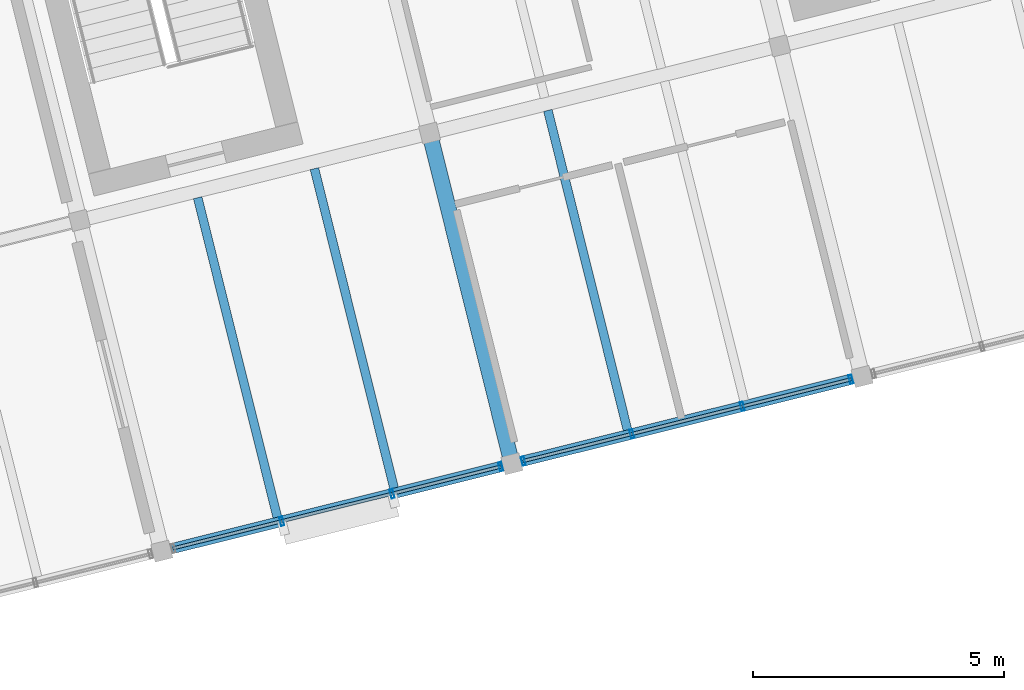
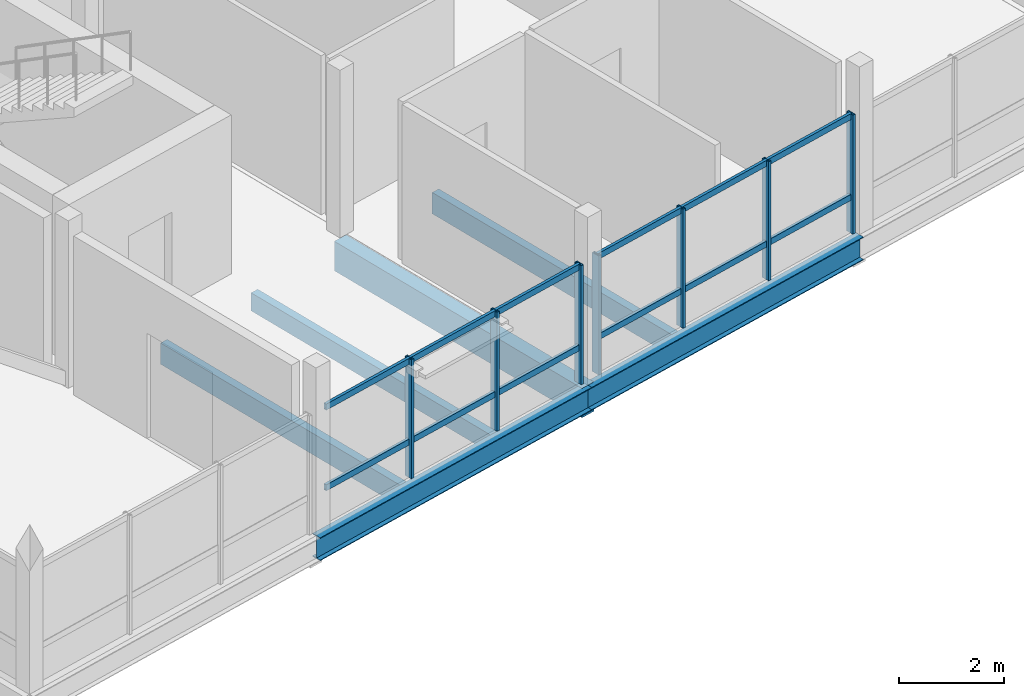
# One storey, part 4 of 26: 19 members, 6 beams, 2 elements without a shape of their own.
"""IFC4 building model written with IfcOpenShell, lengths in metres."""

from ifc_helpers import new_model, si_unit, direction, frame, origin, origin_2d, place, context, subcontext, project, spatial, rectangle, hollow_rectangle, i_section, extrude, material, layer, layer_set, material_profile, profile_set, type_object, element, aggregate, save


model = new_model("IFC4")

# Units and contexts
model_context = context("Model", 3, precision=1e-05, world=origin(), true_north=direction((0.0, 1.0)))
body_context = subcontext(model_context, "Body", "Model", "MODEL_VIEW")
ifc_project = project(units=[si_unit("LENGTHUNIT", "METRE"), si_unit("AREAUNIT", "SQUARE_METRE"), si_unit("VOLUMEUNIT", "CUBIC_METRE"), si_unit("PLANEANGLEUNIT", "RADIAN"), si_unit("MASSUNIT", "GRAM", prefix="KILO")], contexts=[model_context])

# Site, building, storey
site_placement = place(None, origin())
site = spatial("IfcSite", under=ifc_project, at=site_placement, CompositionType="ELEMENT")
building_placement = place(site_placement, origin())
building = spatial("IfcBuilding", under=site, at=building_placement, Name="Meriwether Solvik Hall", CompositionType="ELEMENT")
storey_placement = place(building_placement, frame((0.0, 0.0, 41.699951171875)))
storey = spatial("IfcBuildingStorey", under=building, at=storey_placement, Name="L10", CompositionType="ELEMENT", Elevation=41.699951171875)

# Beams
ifc_material_1 = material(Name="Glulam Douglas-Fir 24F-V8 GL28h", Category="wood")
ifc_material_profile_1 = material_profile(ifc_material_1, rectangle(XDim=0.31494140625, YDim=0.68505859375, at=origin_2d()), Name="GLB-315X685")
ifc_profile_set_1 = profile_set([ifc_material_profile_1], Name="Glulam Douglas-Fir 24F-V8 GL28h")
beam_type_1 = type_object("IfcBeamType", Name="BM-GL-315X685", PredefinedType="BEAM", material=ifc_profile_set_1)
beam_1_placement = place(storey_placement, frame((82.96044921875, 44.780517578125, -0.5224609375), z_axis=(-0.241918877831, 0.970296478685, 0.0), x_axis=(-0.970296478685, -0.241918877831, 0.0)))
element("IfcBeam", 1, at=beam_1_placement, inside=storey, type_object=beam_type_1, Name="Tower Girder T3:TA-TB (L10)", PredefinedType="BEAM", context=body_context, shape_type="SweptSolid", body=[
    extrude(rectangle(XDim=0.31494140625, YDim=0.68505859375, at=origin_2d()), origin(), (0.0, 0.0, 1.0), 6.7998046875),
])
ifc_material_2 = material(Name="Steel A992 Grade 50", Category="steel")
ifc_material_profile_2 = material_profile(ifc_material_2, i_section(OverallWidth=0.2099609375, OverallDepth=0.537109375, WebThickness=0.010986328125, FlangeThickness=0.017333984375, at=origin_2d()), Name="W21X68")
ifc_profile_set_2 = profile_set([ifc_material_profile_2], Name="Steel A992 Grade 50")
beam_type_2 = type_object("IfcBeamType", Name="BM-STL-W21X68", PredefinedType="SPANDREL", material=ifc_profile_set_2)
for number, where, z_axis, x_axis, name in (
    (2, (75.974365234375, 43.03857421875, -0.448486328125), (0.970291911955, 0.241937193493, 0.0), (-0.241937193493, 0.970291911955, 0.0), "Tower Girder TA:T2-T3 (L10)"),
    (3, (82.96044921875, 44.780517578125, -0.448486328125), (0.970299871507, 0.241905269381, 0.0), (-0.241905269381, 0.970299871507, 0.0), "Tower Girder TA:T3-T4 (L10)"),
):
    element("IfcBeam", number, at=place(storey_placement, frame(where, z_axis=z_axis, x_axis=x_axis)), inside=storey, type_object=beam_type_2, Name=name, PredefinedType="SPANDREL", context=body_context, shape_type="SweptSolid", body=[
        extrude(i_section(OverallWidth=0.2099609375, OverallDepth=0.537109375, WebThickness=0.010986328125, FlangeThickness=0.017333984375, at=origin_2d()), origin(), (0.0, 0.0, 1.0), 7.199951171875),
    ])

# Curtain wall, members
ifc_material_3 = material(Name="Thermally Broken Anodised Aluminium 6063-T6 and Low-E Glass", Category="aluminium")
ifc_layer_1 = layer(ifc_material_3, 0.179931640625)
ifc_layer_set_1 = layer_set([ifc_layer_1], Name="Thermally Broken Anodised Aluminium 6063-T6 and Low-E Glass")
curtain_wall_type_1 = type_object("IfcCurtainWallType", Name="CW-UNIT-B", PredefinedType="USERDEFINED", material=ifc_layer_set_1)
curtain_wall_1_placement = place(storey_placement, origin())
curtain_wall_1 = element("IfcCurtainWall", 4, at=curtain_wall_1_placement, inside=storey, type_object=curtain_wall_type_1, Name="Curtain Wall E0_B1 (L10)", ObjectType="UNITISED CURTAIN WALL", PredefinedType="USERDEFINED")
ifc_material_4 = material(Name="Anodised Aluminium 6063-T6", Category="aluminium")
ifc_material_profile_3 = material_profile(ifc_material_4, hollow_rectangle(XDim=0.06494140625, YDim=0.179931640625, WallThickness=0.00439453125, at=origin_2d()), Name="CWM-65X180")
ifc_profile_set_3 = profile_set([ifc_material_profile_3], Name="Anodised Aluminium 6063-T6")
member_type_1 = type_object("IfcMemberType", Name="CW-MUL-65X180", PredefinedType="MULLION", material=ifc_profile_set_3)
member_1_placement = place(storey_placement, frame((82.73486328125, 44.72412109375, 0.0), z_axis=(0.0, 0.0, 1.0), x_axis=(-0.970295725693, -0.241921897937, 0.0)))
member_1 = element("IfcMember", 5, at=member_1_placement, type_object=member_type_1, Name="Curtain Wall Mullion 1", PredefinedType="MULLION", context=body_context, shape_type="SweptSolid", body=[
    extrude(hollow_rectangle(XDim=0.06494140625, YDim=0.179931640625, WallThickness=0.00439453125, at=origin_2d()), origin(), (0.0, 0.0, 1.0), 2.77001953125),
])
member_2_placement = place(storey_placement, frame((80.56884765625, 44.18408203125, 0.0), z_axis=(0.0, 0.0, 1.0), x_axis=(-0.970295725693, -0.241921897937, 0.0)))
member_2 = element("IfcMember", 6, at=member_2_placement, type_object=member_type_1, Name="Curtain Wall Mullion 2", PredefinedType="MULLION", context=body_context, shape_type="SweptSolid", body=[
    extrude(hollow_rectangle(XDim=0.06494140625, YDim=0.179931640625, WallThickness=0.00439453125, at=origin_2d()), origin(), (0.0, 0.0, 1.0), 2.77001953125),
])
member_3_placement = place(storey_placement, frame((78.365966796875, 43.635009765625, 0.0), z_axis=(0.0, 0.0, 1.0), x_axis=(-0.970295725693, -0.241921897937, 0.0)))
member_3 = element("IfcMember", 7, at=member_3_placement, type_object=member_type_1, Name="Curtain Wall Mullion 3", PredefinedType="MULLION", context=body_context, shape_type="SweptSolid", body=[
    extrude(hollow_rectangle(XDim=0.06494140625, YDim=0.179931640625, WallThickness=0.00439453125, at=origin_2d()), origin(), (0.0, 0.0, 1.0), 2.77001953125),
])

ifc_material_5 = material(Name="Thermally Broken Anodised Aluminium 6063-T6 and Low-E Glass", Category="aluminium")
ifc_layer_2 = layer(ifc_material_5, 0.179931640625)
ifc_layer_set_2 = layer_set([ifc_layer_2], Name="Thermally Broken Anodised Aluminium 6063-T6 and Low-E Glass")
curtain_wall_type_2 = type_object("IfcCurtainWallType", Name="CW-UNIT-C", PredefinedType="USERDEFINED", material=ifc_layer_set_2)
curtain_wall_2_placement = place(storey_placement, origin())
curtain_wall_2 = element("IfcCurtainWall", 8, at=curtain_wall_2_placement, inside=storey, type_object=curtain_wall_type_2, Name="Curtain Wall E0_B2 (L10)", ObjectType="UNITISED CURTAIN WALL", PredefinedType="USERDEFINED")
member_4_placement = place(storey_placement, frame((89.720947265625, 46.466064453125, 0.0), z_axis=(0.0, 0.0, 1.0), x_axis=(-0.970295725693, -0.241921897937, 0.0)))
member_4 = element("IfcMember", 9, at=member_4_placement, type_object=member_type_1, Name="Curtain Wall Mullion 1", PredefinedType="MULLION", context=body_context, shape_type="SweptSolid", body=[
    extrude(hollow_rectangle(XDim=0.06494140625, YDim=0.179931640625, WallThickness=0.00439453125, at=origin_2d()), origin(), (0.0, 0.0, 1.0), 2.77001953125),
])
member_5_placement = place(storey_placement, frame((87.554931640625, 45.926025390625, 0.0), z_axis=(0.0, 0.0, 1.0), x_axis=(-0.970295725693, -0.241921897937, 0.0)))
member_5 = element("IfcMember", 10, at=member_5_placement, type_object=member_type_1, Name="Curtain Wall Mullion 2", PredefinedType="MULLION", context=body_context, shape_type="SweptSolid", body=[
    extrude(hollow_rectangle(XDim=0.06494140625, YDim=0.179931640625, WallThickness=0.00439453125, at=origin_2d()), origin(), (0.0, 0.0, 1.0), 2.77001953125),
])
member_6_placement = place(storey_placement, frame((85.35205078125, 45.376708984375, 0.0), z_axis=(0.0, 0.0, 1.0), x_axis=(-0.970295725693, -0.241921897937, 0.0)))
member_6 = element("IfcMember", 11, at=member_6_placement, type_object=member_type_1, Name="Curtain Wall Mullion 3", PredefinedType="MULLION", context=body_context, shape_type="SweptSolid", body=[
    extrude(hollow_rectangle(XDim=0.06494140625, YDim=0.179931640625, WallThickness=0.00439453125, at=origin_2d()), origin(), (0.0, 0.0, 1.0), 2.77001953125),
])
member_7_placement = place(storey_placement, frame((83.18603515625, 44.836669921875, 0.0), z_axis=(0.0, 0.0, 1.0), x_axis=(-0.970295725693, -0.241921897937, 0.0)))
member_7 = element("IfcMember", 12, at=member_7_placement, type_object=member_type_1, Name="Curtain Wall Mullion 4", PredefinedType="MULLION", context=body_context, shape_type="SweptSolid", body=[
    extrude(hollow_rectangle(XDim=0.06494140625, YDim=0.179931640625, WallThickness=0.00439453125, at=origin_2d()), origin(), (0.0, 0.0, 1.0), 2.77001953125),
])

# Member
ifc_material_6 = material(Name="Anodised Aluminium 6063-T6", Category="aluminium")
ifc_material_profile_4 = material_profile(ifc_material_6, hollow_rectangle(XDim=0.06494140625, YDim=0.139892578125, WallThickness=0.00439453125, at=origin_2d()), Name="CWT-65X140")
ifc_profile_set_4 = profile_set([ifc_material_profile_4], Name="Anodised Aluminium 6063-T6")
member_type_2 = type_object("IfcMemberType", Name="CW-TRN-65X140", PredefinedType="USERDEFINED", material=ifc_profile_set_4)
member_8_placement = place(storey_placement, frame((82.73486328125, 44.72412109375, 0.8310546875), z_axis=(-0.970296702868, -0.241917978668, 0.0), x_axis=(0.241917978668, -0.970296702868, 0.0)))
member_8 = element("IfcMember", 13, at=member_8_placement, type_object=member_type_2, Name="Curtain Wall Transom 1-sill", ObjectType="TRANSOM", PredefinedType="USERDEFINED", context=body_context, shape_type="SweptSolid", body=[
    extrude(hollow_rectangle(XDim=0.06494140625, YDim=0.139892578125, WallThickness=0.00439453125, at=origin_2d()), origin(), (0.0, 0.0, 1.0), 2.232421875),
])

member_9_placement = place(storey_placement, frame((82.73486328125, 44.72412109375, 2.7099609375), z_axis=(-0.970296702868, -0.241917978668, 0.0), x_axis=(0.241917978668, -0.970296702868, 0.0)))
member_9 = element("IfcMember", 14, at=member_9_placement, type_object=member_type_2, Name="Curtain Wall Transom 1-head", ObjectType="TRANSOM", PredefinedType="USERDEFINED", context=body_context, shape_type="SweptSolid", body=[
    extrude(hollow_rectangle(XDim=0.06494140625, YDim=0.139892578125, WallThickness=0.00439453125, at=origin_2d()), origin(), (0.0, 0.0, 1.0), 2.232421875),
])

member_10_placement = place(storey_placement, frame((80.56884765625, 44.18408203125, 0.8310546875), z_axis=(-0.970313054834, -0.241852383943, 0.0), x_axis=(0.241852383943, -0.970313054834, 0.0)))
member_10 = element("IfcMember", 15, at=member_10_placement, type_object=member_type_2, Name="Curtain Wall Transom 2-sill", ObjectType="TRANSOM", PredefinedType="USERDEFINED", context=body_context, shape_type="SweptSolid", body=[
    extrude(hollow_rectangle(XDim=0.06494140625, YDim=0.139892578125, WallThickness=0.00439453125, at=origin_2d()), origin(), (0.0, 0.0, 1.0), 2.270263671875),
])

member_11_placement = place(storey_placement, frame((80.56884765625, 44.18408203125, 2.7099609375), z_axis=(-0.970313054834, -0.241852383943, 0.0), x_axis=(0.241852383943, -0.970313054834, 0.0)))
member_11 = element("IfcMember", 16, at=member_11_placement, type_object=member_type_2, Name="Curtain Wall Transom 2-head", ObjectType="TRANSOM", PredefinedType="USERDEFINED", context=body_context, shape_type="SweptSolid", body=[
    extrude(hollow_rectangle(XDim=0.06494140625, YDim=0.139892578125, WallThickness=0.00439453125, at=origin_2d()), origin(), (0.0, 0.0, 1.0), 2.270263671875),
])

member_12_placement = place(storey_placement, frame((78.365966796875, 43.635009765625, 0.8310546875), z_axis=(-0.970296702868, -0.241917978668, 0.0), x_axis=(0.241917978668, -0.970296702868, 0.0)))
member_12 = element("IfcMember", 17, at=member_12_placement, type_object=member_type_2, Name="Curtain Wall Transom 3-sill", ObjectType="TRANSOM", PredefinedType="USERDEFINED", context=body_context, shape_type="SweptSolid", body=[
    extrude(hollow_rectangle(XDim=0.06494140625, YDim=0.139892578125, WallThickness=0.00439453125, at=origin_2d()), origin(), (0.0, 0.0, 1.0), 2.232421875),
])

member_13_placement = place(storey_placement, frame((78.365966796875, 43.635009765625, 2.7099609375), z_axis=(-0.970296702868, -0.241917978668, 0.0), x_axis=(0.241917978668, -0.970296702868, 0.0)))
member_13 = element("IfcMember", 18, at=member_13_placement, type_object=member_type_2, Name="Curtain Wall Transom 3-head", ObjectType="TRANSOM", PredefinedType="USERDEFINED", context=body_context, shape_type="SweptSolid", body=[
    extrude(hollow_rectangle(XDim=0.06494140625, YDim=0.139892578125, WallThickness=0.00439453125, at=origin_2d()), origin(), (0.0, 0.0, 1.0), 2.232421875),
])

aggregate(curtain_wall_1, [member_1, member_2, member_3, member_8, member_9, member_10, member_11, member_12, member_13])

member_14_placement = place(storey_placement, frame((89.720947265625, 46.466064453125, 0.8310546875), z_axis=(-0.970296702868, -0.241917978668, 0.0), x_axis=(0.241917978668, -0.970296702868, 0.0)))
member_14 = element("IfcMember", 19, at=member_14_placement, type_object=member_type_2, Name="Curtain Wall Transom 1-sill", ObjectType="TRANSOM", PredefinedType="USERDEFINED", context=body_context, shape_type="SweptSolid", body=[
    extrude(hollow_rectangle(XDim=0.06494140625, YDim=0.139892578125, WallThickness=0.00439453125, at=origin_2d()), origin(), (0.0, 0.0, 1.0), 2.232421875),
])

member_15_placement = place(storey_placement, frame((89.720947265625, 46.466064453125, 2.7099609375), z_axis=(-0.970296702868, -0.241917978668, 0.0), x_axis=(0.241917978668, -0.970296702868, 0.0)))
member_15 = element("IfcMember", 20, at=member_15_placement, type_object=member_type_2, Name="Curtain Wall Transom 1-head", ObjectType="TRANSOM", PredefinedType="USERDEFINED", context=body_context, shape_type="SweptSolid", body=[
    extrude(hollow_rectangle(XDim=0.06494140625, YDim=0.139892578125, WallThickness=0.00439453125, at=origin_2d()), origin(), (0.0, 0.0, 1.0), 2.232421875),
])

member_16_placement = place(storey_placement, frame((87.554931640625, 45.926025390625, 0.8310546875), z_axis=(-0.970287814054, -0.241953627576, 0.0), x_axis=(0.241953627576, -0.970287814054, 0.0)))
member_16 = element("IfcMember", 21, at=member_16_placement, type_object=member_type_2, Name="Curtain Wall Transom 2-sill", ObjectType="TRANSOM", PredefinedType="USERDEFINED", context=body_context, shape_type="SweptSolid", body=[
    extrude(hollow_rectangle(XDim=0.06494140625, YDim=0.139892578125, WallThickness=0.00439453125, at=origin_2d()), origin(), (0.0, 0.0, 1.0), 2.270263671875),
])

member_17_placement = place(storey_placement, frame((87.554931640625, 45.926025390625, 2.7099609375), z_axis=(-0.970287814054, -0.241953627576, 0.0), x_axis=(0.241953627576, -0.970287814054, 0.0)))
member_17 = element("IfcMember", 22, at=member_17_placement, type_object=member_type_2, Name="Curtain Wall Transom 2-head", ObjectType="TRANSOM", PredefinedType="USERDEFINED", context=body_context, shape_type="SweptSolid", body=[
    extrude(hollow_rectangle(XDim=0.06494140625, YDim=0.139892578125, WallThickness=0.00439453125, at=origin_2d()), origin(), (0.0, 0.0, 1.0), 2.270263671875),
])

member_18_placement = place(storey_placement, frame((85.35205078125, 45.376708984375, 0.8310546875), z_axis=(-0.970296702868, -0.241917978668, 0.0), x_axis=(0.241917978668, -0.970296702868, 0.0)))
member_18 = element("IfcMember", 23, at=member_18_placement, type_object=member_type_2, Name="Curtain Wall Transom 3-sill", ObjectType="TRANSOM", PredefinedType="USERDEFINED", context=body_context, shape_type="SweptSolid", body=[
    extrude(hollow_rectangle(XDim=0.06494140625, YDim=0.139892578125, WallThickness=0.00439453125, at=origin_2d()), origin(), (0.0, 0.0, 1.0), 2.232421875),
])

member_19_placement = place(storey_placement, frame((85.35205078125, 45.376708984375, 2.7099609375), z_axis=(-0.970296702868, -0.241917978668, 0.0), x_axis=(0.241917978668, -0.970296702868, 0.0)))
member_19 = element("IfcMember", 24, at=member_19_placement, type_object=member_type_2, Name="Curtain Wall Transom 3-head", ObjectType="TRANSOM", PredefinedType="USERDEFINED", context=body_context, shape_type="SweptSolid", body=[
    extrude(hollow_rectangle(XDim=0.06494140625, YDim=0.139892578125, WallThickness=0.00439453125, at=origin_2d()), origin(), (0.0, 0.0, 1.0), 2.232421875),
])

aggregate(curtain_wall_2, [member_4, member_5, member_6, member_7, member_14, member_15, member_16, member_17, member_18, member_19])

# Beams
ifc_material_7 = material(Name="Glulam Douglas-Fir 24F-V8 GL28h", Category="wood")
ifc_material_profile_5 = material_profile(ifc_material_7, rectangle(XDim=0.175048828125, YDim=0.419921875, at=origin_2d()), Name="GLJ-175X420")
ifc_profile_set_5 = profile_set([ifc_material_profile_5], Name="Glulam Douglas-Fir 24F-V8 GL28h")
beam_type_3 = type_object("IfcBeamType", Name="JST-GL-175X420", PredefinedType="JOIST", material=ifc_profile_set_5)
beam_2_placement = place(storey_placement, frame((80.607421875, 44.296875, -0.389892578125), z_axis=(-0.24193213069, 0.970293174324, 0.0), x_axis=(-0.970293174324, -0.24193213069, 0.0)))
element("IfcBeam", 25, at=beam_2_placement, inside=storey, type_object=beam_type_3, Name="Glulam Floor Joist T2/TA-J2 (L10)", PredefinedType="JOIST", context=body_context, shape_type="SweptSolid", body=[
    extrude(rectangle(XDim=0.175048828125, YDim=0.419921875, at=origin_2d()), origin(), (0.0, 0.0, 1.0), 6.568359375),
])
ifc_material_8 = material(Name="Glulam Douglas-Fir 24F-V8 GL28h", Category="wood")
ifc_material_profile_6 = material_profile(ifc_material_8, rectangle(XDim=0.175048828125, YDim=0.4951171875, at=origin_2d()), Name="GLJ-175X495")
ifc_profile_set_6 = profile_set([ifc_material_profile_6], Name="Glulam Douglas-Fir 24F-V8 GL28h")
beam_type_4 = type_object("IfcBeamType", Name="JST-GL-175X495", PredefinedType="JOIST", material=ifc_profile_set_6)
beam_3_placement = place(storey_placement, frame((78.27880859375, 43.71630859375, -0.427490234375), z_axis=(-0.24193213069, 0.970293174324, 0.0), x_axis=(-0.970293174324, -0.24193213069, 0.0)))
element("IfcBeam", 26, at=beam_3_placement, inside=storey, type_object=beam_type_4, Name="Glulam Floor Joist T2/TA-J1 (L10)", PredefinedType="JOIST", context=body_context, shape_type="SweptSolid", body=[
    extrude(rectangle(XDim=0.175048828125, YDim=0.4951171875, at=origin_2d()), origin(), (0.0, 0.0, 1.0), 6.568359375),
])
beam_4_placement = place(storey_placement, frame((85.264892578125, 45.4580078125, -0.427490234375), z_axis=(-0.241923405787, 0.970295349743, 0.0), x_axis=(-0.970295349743, -0.241923405787, 0.0)))
element("IfcBeam", 27, at=beam_4_placement, inside=storey, type_object=beam_type_4, Name="Glulam Floor Joist T3/TA-J1 (L10)", PredefinedType="JOIST", context=body_context, shape_type="SweptSolid", body=[
    extrude(rectangle(XDim=0.175048828125, YDim=0.4951171875, at=origin_2d()), origin(), (0.0, 0.0, 1.0), 6.568603515625),
])

save(model, "model.ifc")
